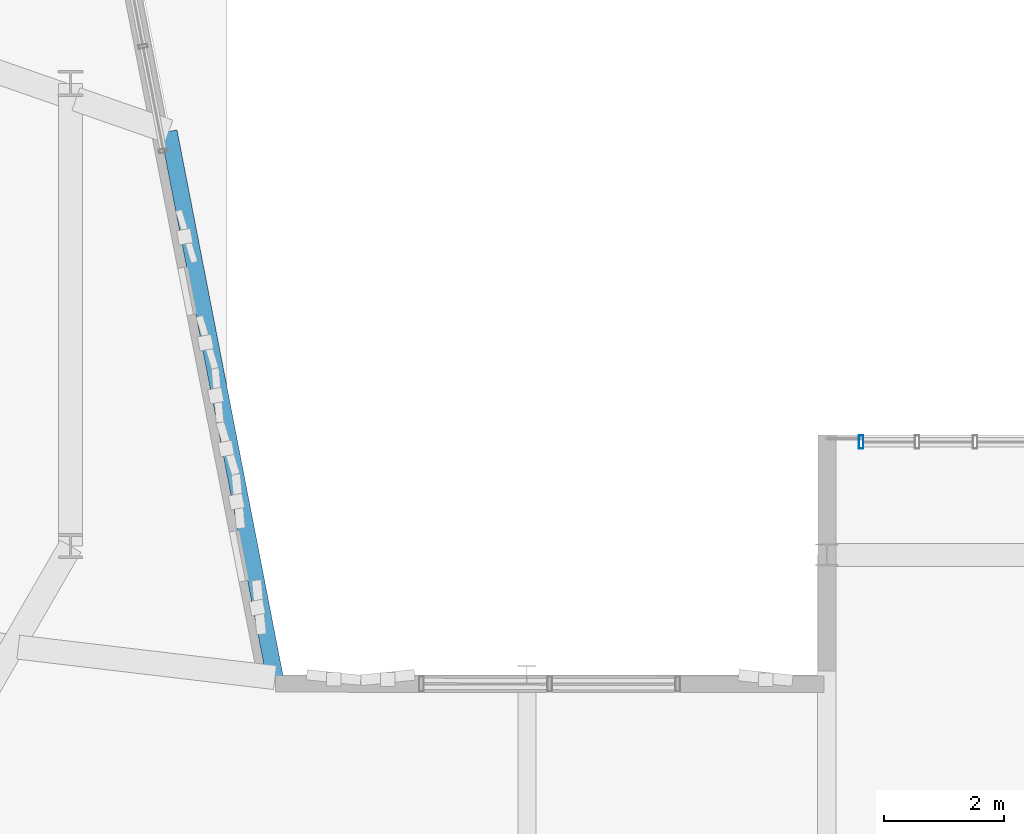
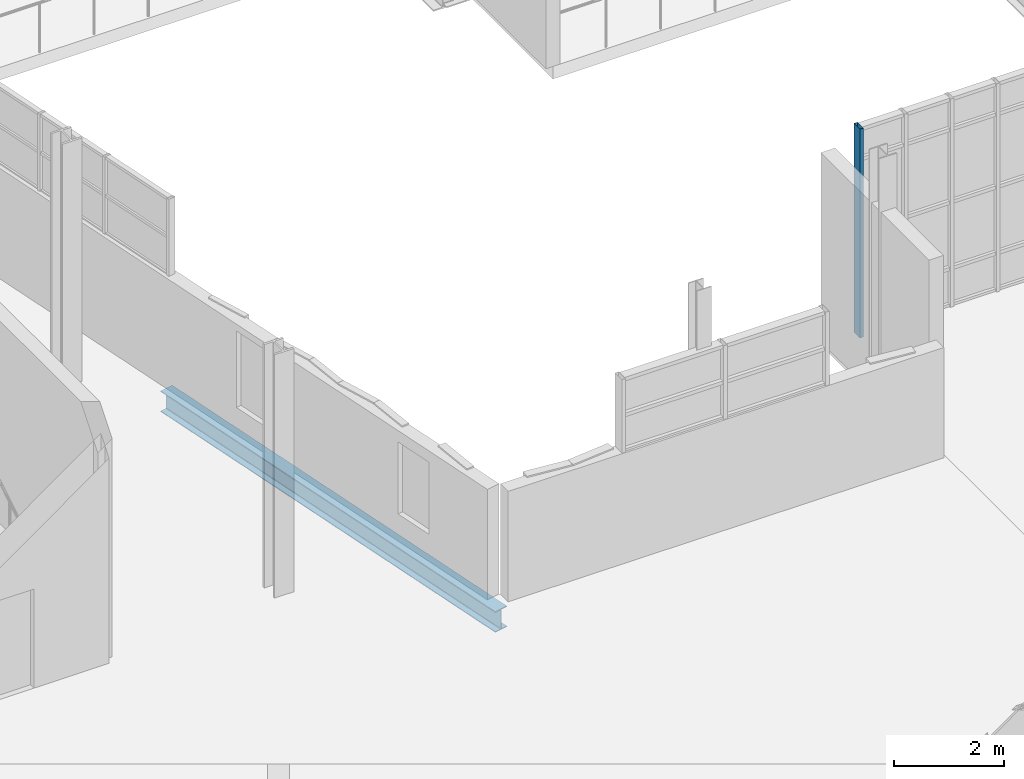
# One storey, part 37 of 142: 1 beam, 1 member, 1 element without a shape of its own.
"""IFC4 building model written with IfcOpenShell, lengths in metres."""

import ifcopenshell
import ifcopenshell.guid

model = None  # the IFC model being written
_history = None  # IfcOwnerHistory: only IFC2X3 demands one
_inside = {}  # id of a spatial element -> (the spatial element, [elements in it])
_under = {}  # id of a project, library or spatial element -> (it, [spatial elements below it])
_declared = {}  # id of a project -> (the project, [libraries it declares])
_typed = {}  # id of a type object -> (the type object, [elements of that type])
_made_of = {}  # id of a material, layer set ... -> (it, [elements and type objects made of it])


def new_model(schema):
    """Start an empty IFC model of exactly this schema.

    Asked for "IFC4X3", IfcOpenShell would pick the latest addendum, in which some entities
    have other attributes; the version numbers below select the first issue.
    IFC2X3 requires an IfcOwnerHistory on every rooted entity: one is made here for all.
    """
    global model, _history
    if schema == "IFC4X3":
        model = ifcopenshell.file(schema_version=(4, 3, 0, 0))
    else:
        model = ifcopenshell.file(schema=schema)
    _inside.clear()
    _under.clear()
    _declared.clear()
    _typed.clear()
    _made_of.clear()
    _history = None
    if model.schema == "IFC2X3":
        org = make("IfcOrganization", Name="unknown")
        user = make(
            "IfcPersonAndOrganization",
            ThePerson=make("IfcPerson", FamilyName="unknown"),
            TheOrganization=org,
        )
        app = make(
            "IfcApplication",
            ApplicationDeveloper=org,
            Version="unknown",
            ApplicationFullName="unknown",
            ApplicationIdentifier="unknown",
        )
        _history = make(
            "IfcOwnerHistory",
            OwningUser=user,
            OwningApplication=app,
            ChangeAction="ADDED",
            CreationDate=0,
        )
    return model


def make(cls, **values):
    """One entity of the class cls with the attributes given. An attribute that is None is left unset."""
    return model.create_entity(
        cls, **{name: value for name, value in values.items() if value is not None}
    )


def rooted(cls, **values):
    """An entity with a GlobalId (a new one), such as an element, a storey or a relation."""
    return make(cls, GlobalId=ifcopenshell.guid.new(), OwnerHistory=_history, **values)


def si_unit(unit_type, name, prefix=None):
    """IfcSIUnit, for example si_unit("LENGTHUNIT", "METRE", prefix="MILLI")."""
    return make("IfcSIUnit", UnitType=unit_type, Prefix=prefix, Name=name)


def assignment(units):
    """IfcUnitAssignment: the units of a project."""
    return None if units is None else make("IfcUnitAssignment", Units=units)


def point(xyz):
    """IfcCartesianPoint."""
    return None if xyz is None else make("IfcCartesianPoint", Coordinates=xyz)


def direction(xyz):
    """IfcDirection."""
    return None if xyz is None else make("IfcDirection", DirectionRatios=xyz)


def frame(location, z_axis=None, x_axis=None):
    """IfcAxis2Placement3D, a coordinate frame: its origin and axes. An axis left out is left unset."""
    return make(
        "IfcAxis2Placement3D",
        Location=point(location),
        Axis=direction(z_axis),
        RefDirection=direction(x_axis),
    )


def frame_2d(location, x_axis=None):
    """IfcAxis2Placement2D, a coordinate frame in the plane: its origin and x axis."""
    return make(
        "IfcAxis2Placement2D", Location=point(location), RefDirection=direction(x_axis)
    )


def origin():
    """The frame at (0, 0, 0) with its axes left unset."""
    return frame((0.0, 0.0, 0.0))


def origin_2d():
    """The frame at (0, 0) in the plane with its x axis left unset."""
    return frame_2d((0.0, 0.0))


def place(relative_to, where):
    """IfcLocalPlacement: puts the frame where relative to a parent placement (None: the world)."""
    return make(
        "IfcLocalPlacement", PlacementRelTo=relative_to, RelativePlacement=where
    )


def context(
    kind, dimensions, precision=None, world=None, true_north=None, identifier=None
):
    """IfcGeometricRepresentationContext, for example the 3D "Model" context."""
    return make(
        "IfcGeometricRepresentationContext",
        ContextIdentifier=identifier,
        ContextType=kind,
        CoordinateSpaceDimension=dimensions,
        Precision=precision,
        WorldCoordinateSystem=world,
        TrueNorth=true_north,
    )


def subcontext(parent, identifier, kind, view, scale=None):
    """IfcGeometricRepresentationSubContext, for example "Body" below "Model"."""
    return make(
        "IfcGeometricRepresentationSubContext",
        ContextIdentifier=identifier,
        ContextType=kind,
        ParentContext=parent,
        TargetScale=scale,
        TargetView=view,
    )


def project(units=None, contexts=None):
    """IfcProject with its units and contexts."""
    return rooted(
        "IfcProject",
        Name="project",
        RepresentationContexts=contexts,
        UnitsInContext=assignment(units),
    )


def spatial(cls, under=None, at=None, **own):
    """A site, building, storey or space (cls), placed at a placement, below another one or the project."""
    s = rooted(cls, ObjectPlacement=at, **own)
    if under is not None:
        _under.setdefault(under.id(), (under, []))[1].append(s)
    return s


def profile(cls, at=None, kind="AREA", **sizes):
    """A parametric profile (cls). Its sizes go by their IFC names, for example OverallWidth=200.0."""
    return make(cls, ProfileType=kind, Position=at, **sizes)


def hollow_rectangle(**sizes):
    """IfcRectangleHollowProfileDef."""
    return profile("IfcRectangleHollowProfileDef", **sizes)


def i_section(**sizes):
    """IfcIShapeProfileDef."""
    return profile("IfcIShapeProfileDef", **sizes)


def extrude(swept, where, along, depth):
    """IfcExtrudedAreaSolid: the profile swept, set in the frame where, extruded along a direction by depth."""
    return make(
        "IfcExtrudedAreaSolid",
        SweptArea=swept,
        Position=where,
        ExtrudedDirection=direction(along),
        Depth=depth,
    )


def shape(context_of_items, identifier, shape_type, items):
    """IfcShapeRepresentation: the items that make up one representation, for example the "Body"."""
    return make(
        "IfcShapeRepresentation",
        ContextOfItems=context_of_items,
        RepresentationIdentifier=identifier,
        RepresentationType=shape_type,
        Items=items,
    )


def material(Name=None, Category=None):
    """IfcMaterial."""
    return make("IfcMaterial", Name=Name, Category=Category)


def layer(
    of_material, thickness, ventilated=None, Name=None, Category=None, Priority=None
):
    """IfcMaterialLayer: one layer of a wall or slab, of a material (None: an air gap)."""
    return make(
        "IfcMaterialLayer",
        Material=of_material,
        LayerThickness=thickness,
        IsVentilated=ventilated,
        Name=Name,
        Category=Category,
        Priority=Priority,
    )


def layer_set(layers, Name=None):
    """IfcMaterialLayerSet."""
    return make("IfcMaterialLayerSet", MaterialLayers=layers, LayerSetName=Name)


def material_profile(
    of_material, cross_section, Name=None, Category=None, Priority=None
):
    """IfcMaterialProfile: a cross section and its material."""
    return make(
        "IfcMaterialProfile",
        Name=Name,
        Material=of_material,
        Profile=cross_section,
        Priority=Priority,
        Category=Category,
    )


def profile_set(profiles, Name=None, composite=None):
    """IfcMaterialProfileSet."""
    return make(
        "IfcMaterialProfileSet",
        Name=Name,
        MaterialProfiles=profiles,
        CompositeProfile=composite,
    )


def made_of(thing, what):
    """Note that an element or type object is made of a material, layer set ...; save() writes the relation."""
    if what is not None:
        _made_of.setdefault(what.id(), (what, []))[1].append(thing)
    return thing


def type_object(cls, material=None, **own):
    """A type object (cls), such as IfcWallType, which elements share."""
    return made_of(rooted(cls, **own), material)


def element(
    cls,
    number,
    at=None,
    inside=None,
    cuts=None,
    type_object=None,
    material=None,
    context=None,
    identifier="Body",
    shape_type=None,
    held_by="IfcProductDefinitionShape",
    body=None,
    shapes=None,
    **own,
):
    """One element of the class cls, such as IfcWall. Its Tag is "e" and its number.

    at: its placement. inside: the storey or other place that contains it. cuts: it is an
    opening in that element (IfcRelVoidsElement). A single representation is given by context,
    identifier, shape_type and body (its items); several are given by shapes. held_by: the class
    of the entity that holds the representations. save() writes the other relations.
    """
    e = rooted(cls, Tag="e%d" % number, ObjectPlacement=at, **own)
    if body is not None:
        shapes = [shape(context, identifier, shape_type, body)]
    if shapes is not None:
        e.Representation = make(held_by, Representations=shapes)
    if inside is not None:
        _inside.setdefault(inside.id(), (inside, []))[1].append(e)
    if cuts is not None:
        rooted(
            "IfcRelVoidsElement", RelatingBuildingElement=cuts, RelatedOpeningElement=e
        )
    if type_object is not None:
        _typed.setdefault(type_object.id(), (type_object, []))[1].append(e)
    return made_of(e, material)


def aggregate(whole, parts):
    """IfcRelAggregates: a whole, such as a stair, and the parts it consists of."""
    return rooted("IfcRelAggregates", RelatingObject=whole, RelatedObjects=parts)


def save(model, path):
    """Write the relations noted so far, then the file.

    IfcRelAggregates (storeys below a building ...), IfcRelContainedInSpatialStructure (elements
    in a storey), IfcRelDefinesByType, IfcRelAssociatesMaterial and IfcRelDeclares: one each for
    every whole, place, type object, material and project.
    """
    for whole, parts in _under.values():
        aggregate(whole, parts)
    for where, things in _inside.values():
        rooted(
            "IfcRelContainedInSpatialStructure",
            RelatedElements=things,
            RelatingStructure=where,
        )
    for kind, things in _typed.values():
        rooted("IfcRelDefinesByType", RelatedObjects=things, RelatingType=kind)
    for what, things in _made_of.values():
        rooted("IfcRelAssociatesMaterial", RelatedObjects=things, RelatingMaterial=what)
    for by, libraries in _declared.values():
        rooted("IfcRelDeclares", RelatingContext=by, RelatedDefinitions=libraries)
    model.write(path)


model = new_model("IFC4")

# Units and contexts
model_context = context("Model", 3, precision=1e-05, world=origin(), true_north=direction((0.0, 1.0)))
body_context = subcontext(model_context, "Body", "Model", "MODEL_VIEW")
ifc_project = project(units=[si_unit("LENGTHUNIT", "METRE"), si_unit("AREAUNIT", "SQUARE_METRE"), si_unit("VOLUMEUNIT", "CUBIC_METRE"), si_unit("PLANEANGLEUNIT", "RADIAN"), si_unit("MASSUNIT", "GRAM", prefix="KILO"), si_unit("THERMODYNAMICTEMPERATUREUNIT", "KELVIN"), si_unit("POWERUNIT", "WATT")], contexts=[model_context])

# Site, building, storey
site_placement = place(None, origin())
site = spatial("IfcSite", under=ifc_project, at=site_placement, CompositionType="ELEMENT")
building_placement = place(site_placement, origin())
building = spatial("IfcBuilding", under=site, at=building_placement, Name="Zelmaris Science Centre", CompositionType="ELEMENT")
storey_placement = place(building_placement, frame((0.0, 0.0, 5.39990234375)))
storey = spatial("IfcBuildingStorey", under=building, at=storey_placement, Name="L01", CompositionType="ELEMENT", Elevation=5.39990234375)

# Curtain wall, member
ifc_material_1 = material(Name="Anodised architectural aluminium 6063-T6", Category="aluminium")
ifc_layer = layer(ifc_material_1, 0.199951171875, Name="Anodised architectural aluminium 6063-T6")
ifc_layer_set = layer_set([ifc_layer], Name="Anodised architectural aluminium 6063-T6")
curtain_wall_type = type_object("IfcCurtainWallType", Name="Curtain Wall CW-02", PredefinedType="USERDEFINED", material=ifc_layer_set)
curtain_wall_placement = place(storey_placement, origin())
curtain_wall = element("IfcCurtainWall", 1, at=curtain_wall_placement, inside=storey, type_object=curtain_wall_type, Name="L01 Unitised curtain wall 178", ObjectType="GLAZED CURTAIN WALL", PredefinedType="USERDEFINED")
ifc_material_profile_1 = material_profile(ifc_material_1, hollow_rectangle(XDim=0.074951171875, YDim=0.219970703125, WallThickness=0.0048828125, at=origin_2d()), Name="ALU-MUL-75X220")
ifc_profile_set_1 = profile_set([ifc_material_profile_1], Name="Anodised architectural aluminium 6063-T6")
member_type = type_object("IfcMemberType", Name="ALU-MUL-75X220", PredefinedType="MULLION", material=ifc_profile_set_1)
member_placement = place(storey_placement, frame((108.573486328125, 33.8798828125, -0.014892578125), z_axis=(0.0, 0.0, 1.0), x_axis=(0.999999999976, 6.981317e-06, 0.0)))
member = element("IfcMember", 2, at=member_placement, type_object=member_type, Name="CW-02 mullion 1", PredefinedType="MULLION", context=body_context, shape_type="SweptSolid", body=[
    extrude(hollow_rectangle(XDim=0.074951171875, YDim=0.219970703125, WallThickness=0.0048828125, at=origin_2d()), origin(), (0.0, 0.0, 1.0), 4.635009765625),
])
aggregate(curtain_wall, [member])

# Beam
ifc_material_2 = material(Name="Steel ASTM A992 Grade 50", Category="steel")
ifc_material_profile_2 = material_profile(ifc_material_2, i_section(OverallWidth=0.279052734375, OverallDepth=0.4619140625, WebThickness=0.0107421875, FlangeThickness=0.017333984375, FilletRadius=0.012939453125, at=origin_2d()), Name="W18X76")
ifc_profile_set_2 = profile_set([ifc_material_profile_2], Name="Steel ASTM A992 Grade 50")
beam_type = type_object("IfcBeamType", Name="Beam SP-03 W18X76", PredefinedType="SPANDREL", material=ifc_profile_set_2)
beam_placement = place(storey_placement, frame((98.80029296875, 29.953125, -0.531005859375), z_axis=(-0.190808364615, 0.981627306055, 0.0), x_axis=(-0.981627306055, -0.190808364615, 0.0)))
element("IfcBeam", 3, at=beam_placement, inside=storey, type_object=beam_type, Name="L01 Rotated facade spandrel beam 2", PredefinedType="SPANDREL", context=body_context, shape_type="SweptSolid", body=[
    extrude(i_section(OverallWidth=0.279052734375, OverallDepth=0.4619140625, WebThickness=0.0107421875, FlangeThickness=0.017333984375, FilletRadius=0.012939453125, at=origin_2d()), origin(), (0.0, 0.0, 1.0), 9.275146484375),
])

save(model, "model.ifc")
